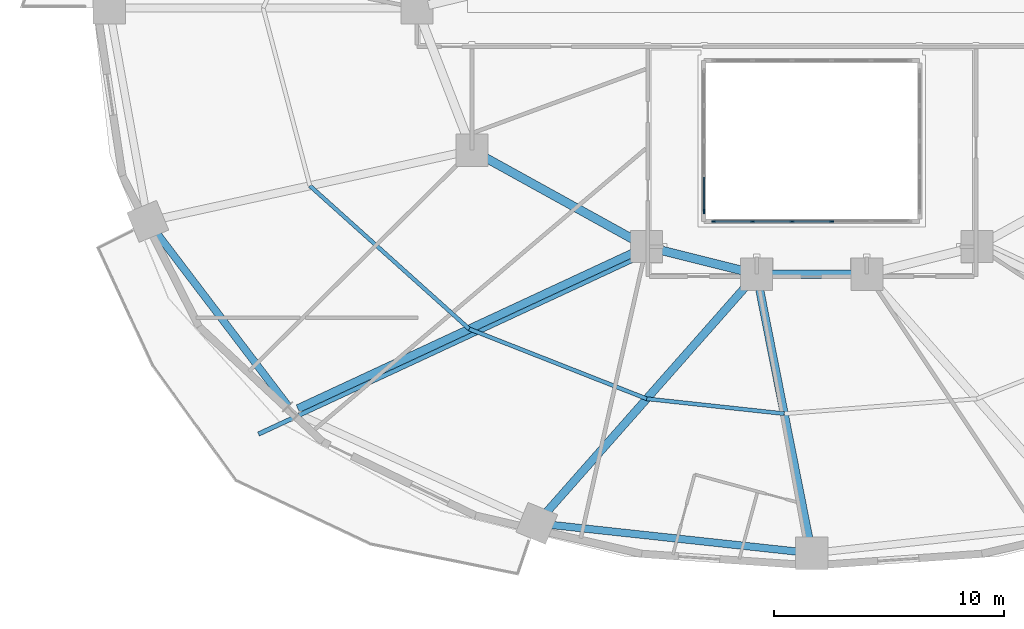
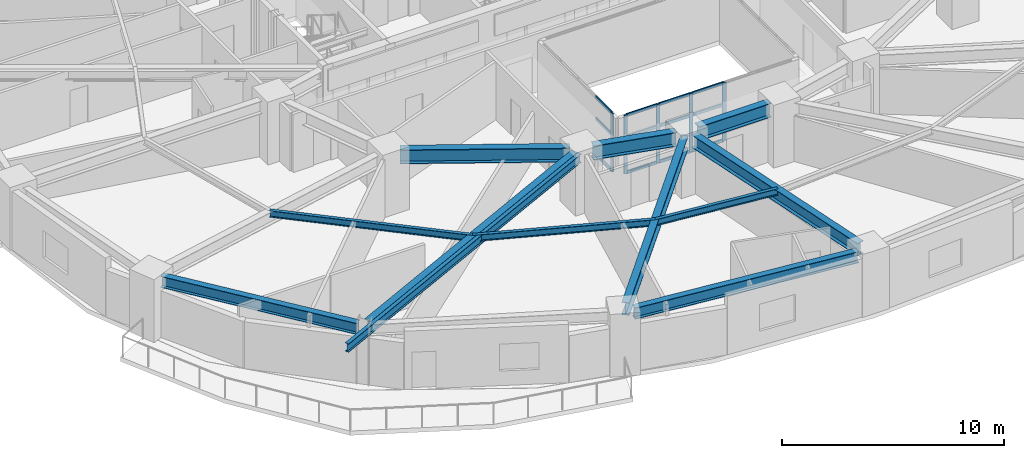
# One storey, part 3 of 17: 17 members, 12 beams, 2 elements without a shape of their own.
"""IFC4 building model written with IfcOpenShell, lengths in metres."""

from ifc_helpers import new_model, si_unit, direction, frame, origin, origin_2d, place, context, subcontext, project, spatial, rectangle, i_section, extrude, material, material_profile, profile_set, type_object, element, aggregate, save


model = new_model("IFC4")

# Units and contexts
model_context = context("Model", 3, precision=1e-05, world=origin(), true_north=direction((0.0, 1.0)))
body_context = subcontext(model_context, "Body", "Model", "MODEL_VIEW")
ifc_project = project(units=[si_unit("LENGTHUNIT", "METRE"), si_unit("AREAUNIT", "SQUARE_METRE"), si_unit("VOLUMEUNIT", "CUBIC_METRE"), si_unit("PLANEANGLEUNIT", "RADIAN"), si_unit("MASSUNIT", "GRAM", prefix="KILO")], contexts=[model_context])

# Site, building, storey
site_placement = place(None, origin())
site = spatial("IfcSite", under=ifc_project, at=site_placement, CompositionType="ELEMENT")
building_placement = place(site_placement, origin())
building = spatial("IfcBuilding", under=site, at=building_placement, Name="Haldorwick Loom Tower", CompositionType="ELEMENT")
storey_placement = place(building_placement, frame((0.0, 0.0, 51.60009765625)))
storey = spatial("IfcBuildingStorey", under=building, at=storey_placement, Name="L13", CompositionType="ELEMENT", Elevation=51.60009765625)

# Curtain wall, members
ifc_material_1 = material(Name="Thermally Broken Anodized Aluminium Curtain Wall Framing", Category="aluminium")
curtain_wall_type = type_object("IfcCurtainWallType", Name="ARC-CW-03", PredefinedType="NOTDEFINED", material=ifc_material_1)
curtain_wall_1_placement = place(storey_placement, origin())
curtain_wall_1 = element("IfcCurtainWall", 1, at=curtain_wall_1_placement, inside=storey, type_object=curtain_wall_type, Name="L13 Atrium Glazed Screen S", PredefinedType="NOTDEFINED")
ifc_material_profile_1 = material_profile(ifc_material_1, rectangle(XDim=0.06591796875, YDim=0.18505859375, at=origin_2d()), Name="ALU_MUL_66X185", Category="aluminium")
ifc_profile_set_1 = profile_set([ifc_material_profile_1], Name="Thermally Broken Anodized Aluminium Curtain Wall Framing")
member_type_1 = type_object("IfcMemberType", Name="ARC-CWM-03", PredefinedType="MULLION", material=ifc_profile_set_1)
member_1_placement = place(storey_placement, frame((36.860107421875, 16.699951171875, 0.0), z_axis=(0.0, 0.0, 1.0), x_axis=(0.0, -1.0, 0.0)))
member_1 = element("IfcMember", 2, at=member_1_placement, type_object=member_type_1, Name="CW-03 mullion 3", PredefinedType="MULLION", context=body_context, shape_type="SweptSolid", body=[
    extrude(rectangle(XDim=0.06591796875, YDim=0.18505859375, at=origin_2d()), origin(), (0.0, 0.0, 1.0), 3.2099609375),
])
member_2_placement = place(storey_placement, frame((35.139892578125, 16.699951171875, 0.0), z_axis=(0.0, 0.0, 1.0), x_axis=(0.0, -1.0, 0.0)))
member_2 = element("IfcMember", 3, at=member_2_placement, type_object=member_type_1, Name="CW-03 mullion 4", PredefinedType="MULLION", context=body_context, shape_type="SweptSolid", body=[
    extrude(rectangle(XDim=0.06591796875, YDim=0.18505859375, at=origin_2d()), origin(), (0.0, 0.0, 1.0), 3.2099609375),
])
member_3_placement = place(storey_placement, frame((33.419921875, 16.699951171875, 0.0), z_axis=(0.0, 0.0, 1.0), x_axis=(0.0, -1.0, 0.0)))
member_3 = element("IfcMember", 4, at=member_3_placement, type_object=member_type_1, Name="CW-03 mullion 5", PredefinedType="MULLION", context=body_context, shape_type="SweptSolid", body=[
    extrude(rectangle(XDim=0.06591796875, YDim=0.18505859375, at=origin_2d()), origin(), (0.0, 0.0, 1.0), 3.2099609375),
])
member_4_placement = place(storey_placement, frame((31.73291015625, 16.699951171875, 0.0), z_axis=(0.0, 0.0, 1.0), x_axis=(0.0, -1.0, 0.0)))
member_4 = element("IfcMember", 5, at=member_4_placement, type_object=member_type_1, Name="CW-03 mullion 6", PredefinedType="MULLION", context=body_context, shape_type="SweptSolid", body=[
    extrude(rectangle(XDim=0.06591796875, YDim=0.18505859375, at=origin_2d()), origin(), (0.0, 0.0, 1.0), 3.2099609375),
])

# Curtain wall, member
curtain_wall_2_placement = place(storey_placement, origin())
curtain_wall_2 = element("IfcCurtainWall", 6, at=curtain_wall_2_placement, inside=storey, type_object=curtain_wall_type, Name="L13 Atrium Glazed Screen W", PredefinedType="NOTDEFINED")
member_5_placement = place(storey_placement, frame((31.300048828125, 17.133056640625, 0.0), z_axis=(0.0, 0.0, 1.0), x_axis=(-1.0, 0.0, 0.0)))
member_5 = element("IfcMember", 7, at=member_5_placement, type_object=member_type_1, Name="CW-03 mullion 1", PredefinedType="MULLION", context=body_context, shape_type="SweptSolid", body=[
    extrude(rectangle(XDim=0.06591796875, YDim=0.18505859375, at=origin_2d()), origin(), (0.0, 0.0, 1.0), 3.2099609375),
])

# Member
ifc_material_profile_2 = material_profile(ifc_material_1, rectangle(XDim=0.06591796875, YDim=0.1650390625, at=origin_2d()), Name="ALU_TRN_66X165", Category="aluminium")
ifc_profile_set_2 = profile_set([ifc_material_profile_2], Name="Thermally Broken Anodized Aluminium Curtain Wall Framing")
member_type_2 = type_object("IfcMemberType", Name="ARC-CWT-03", PredefinedType="USERDEFINED", material=ifc_profile_set_2)
member_6_placement = place(storey_placement, frame((36.826904296875, 16.699951171875, 0.032958984375), z_axis=(-1.0, 0.0, 0.0), x_axis=(0.0, -1.0, 0.0)))
member_6 = element("IfcMember", 8, at=member_6_placement, type_object=member_type_2, Name="CW-03 transom 3.1", ObjectType="TRANSOM", PredefinedType="USERDEFINED", context=body_context, shape_type="SweptSolid", body=[
    extrude(rectangle(XDim=0.06591796875, YDim=0.1650390625, at=origin_2d()), origin(), (0.0, 0.0, 1.0), 1.65380859375),
])

member_7_placement = place(storey_placement, frame((36.826904296875, 16.699951171875, 2.0), z_axis=(-1.0, 0.0, 0.0), x_axis=(0.0, -1.0, 0.0)))
member_7 = element("IfcMember", 9, at=member_7_placement, type_object=member_type_2, Name="CW-03 transom 3.2", ObjectType="TRANSOM", PredefinedType="USERDEFINED", context=body_context, shape_type="SweptSolid", body=[
    extrude(rectangle(XDim=0.06591796875, YDim=0.1650390625, at=origin_2d()), origin(), (0.0, 0.0, 1.0), 1.65380859375),
])

member_8_placement = place(storey_placement, frame((36.826904296875, 16.699951171875, 3.177001953125), z_axis=(-1.0, 0.0, 0.0), x_axis=(0.0, -1.0, 0.0)))
member_8 = element("IfcMember", 10, at=member_8_placement, type_object=member_type_2, Name="CW-03 transom 3.3", ObjectType="TRANSOM", PredefinedType="USERDEFINED", context=body_context, shape_type="SweptSolid", body=[
    extrude(rectangle(XDim=0.06591796875, YDim=0.1650390625, at=origin_2d()), origin(), (0.0, 0.0, 1.0), 1.65380859375),
])

member_9_placement = place(storey_placement, frame((35.10693359375, 16.699951171875, 0.032958984375), z_axis=(-1.0, 0.0, 0.0), x_axis=(0.0, -1.0, 0.0)))
member_9 = element("IfcMember", 11, at=member_9_placement, type_object=member_type_2, Name="CW-03 transom 4.1", ObjectType="TRANSOM", PredefinedType="USERDEFINED", context=body_context, shape_type="SweptSolid", body=[
    extrude(rectangle(XDim=0.06591796875, YDim=0.1650390625, at=origin_2d()), origin(), (0.0, 0.0, 1.0), 1.654052734375),
])

member_10_placement = place(storey_placement, frame((35.10693359375, 16.699951171875, 2.0), z_axis=(-1.0, 0.0, 0.0), x_axis=(0.0, -1.0, 0.0)))
member_10 = element("IfcMember", 12, at=member_10_placement, type_object=member_type_2, Name="CW-03 transom 4.2", ObjectType="TRANSOM", PredefinedType="USERDEFINED", context=body_context, shape_type="SweptSolid", body=[
    extrude(rectangle(XDim=0.06591796875, YDim=0.1650390625, at=origin_2d()), origin(), (0.0, 0.0, 1.0), 1.654052734375),
])

member_11_placement = place(storey_placement, frame((35.10693359375, 16.699951171875, 3.177001953125), z_axis=(-1.0, 0.0, 0.0), x_axis=(0.0, -1.0, 0.0)))
member_11 = element("IfcMember", 13, at=member_11_placement, type_object=member_type_2, Name="CW-03 transom 4.3", ObjectType="TRANSOM", PredefinedType="USERDEFINED", context=body_context, shape_type="SweptSolid", body=[
    extrude(rectangle(XDim=0.06591796875, YDim=0.1650390625, at=origin_2d()), origin(), (0.0, 0.0, 1.0), 1.654052734375),
])

member_12_placement = place(storey_placement, frame((33.386962890625, 16.699951171875, 0.032958984375), z_axis=(-1.0, 0.0, 0.0), x_axis=(0.0, -1.0, 0.0)))
member_12 = element("IfcMember", 14, at=member_12_placement, type_object=member_type_2, Name="CW-03 transom 5.1", ObjectType="TRANSOM", PredefinedType="USERDEFINED", context=body_context, shape_type="SweptSolid", body=[
    extrude(rectangle(XDim=0.06591796875, YDim=0.1650390625, at=origin_2d()), origin(), (0.0, 0.0, 1.0), 1.620849609375),
])

member_13_placement = place(storey_placement, frame((33.386962890625, 16.699951171875, 2.0), z_axis=(-1.0, 0.0, 0.0), x_axis=(0.0, -1.0, 0.0)))
member_13 = element("IfcMember", 15, at=member_13_placement, type_object=member_type_2, Name="CW-03 transom 5.2", ObjectType="TRANSOM", PredefinedType="USERDEFINED", context=body_context, shape_type="SweptSolid", body=[
    extrude(rectangle(XDim=0.06591796875, YDim=0.1650390625, at=origin_2d()), origin(), (0.0, 0.0, 1.0), 1.620849609375),
])

member_14_placement = place(storey_placement, frame((33.386962890625, 16.699951171875, 3.177001953125), z_axis=(-1.0, 0.0, 0.0), x_axis=(0.0, -1.0, 0.0)))
member_14 = element("IfcMember", 16, at=member_14_placement, type_object=member_type_2, Name="CW-03 transom 5.3", ObjectType="TRANSOM", PredefinedType="USERDEFINED", context=body_context, shape_type="SweptSolid", body=[
    extrude(rectangle(XDim=0.06591796875, YDim=0.1650390625, at=origin_2d()), origin(), (0.0, 0.0, 1.0), 1.620849609375),
])

aggregate(curtain_wall_1, [member_1, member_2, member_3, member_4, member_6, member_7, member_8, member_9, member_10, member_11, member_12, member_13, member_14])

member_15_placement = place(storey_placement, frame((31.300048828125, 17.166015625, 0.032958984375), z_axis=(0.0, 1.0, 0.0), x_axis=(-1.0, 0.0, 0.0)))
member_15 = element("IfcMember", 17, at=member_15_placement, type_object=member_type_2, Name="CW-03 transom 1.1", ObjectType="TRANSOM", PredefinedType="USERDEFINED", context=body_context, shape_type="SweptSolid", body=[
    extrude(rectangle(XDim=0.06591796875, YDim=0.1650390625, at=origin_2d()), origin(), (0.0, 0.0, 1.0), 1.450927734375),
])

member_16_placement = place(storey_placement, frame((31.300048828125, 17.166015625, 2.0), z_axis=(0.0, 1.0, 0.0), x_axis=(-1.0, 0.0, 0.0)))
member_16 = element("IfcMember", 18, at=member_16_placement, type_object=member_type_2, Name="CW-03 transom 1.2", ObjectType="TRANSOM", PredefinedType="USERDEFINED", context=body_context, shape_type="SweptSolid", body=[
    extrude(rectangle(XDim=0.06591796875, YDim=0.1650390625, at=origin_2d()), origin(), (0.0, 0.0, 1.0), 1.450927734375),
])

member_17_placement = place(storey_placement, frame((31.300048828125, 17.166015625, 3.177001953125), z_axis=(0.0, 1.0, 0.0), x_axis=(-1.0, 0.0, 0.0)))
member_17 = element("IfcMember", 19, at=member_17_placement, type_object=member_type_2, Name="CW-03 transom 1.3", ObjectType="TRANSOM", PredefinedType="USERDEFINED", context=body_context, shape_type="SweptSolid", body=[
    extrude(rectangle(XDim=0.06591796875, YDim=0.1650390625, at=origin_2d()), origin(), (0.0, 0.0, 1.0), 1.450927734375),
])

aggregate(curtain_wall_2, [member_5, member_15, member_16, member_17])

# Beams
ifc_material_2 = material(Name="Steel CSA G40.21 350W", Category="steel")
ifc_material_profile_3 = material_profile(ifc_material_2, i_section(OverallWidth=0.193115234375, OverallDepth=0.466064453125, WebThickness=0.011474609375, FlangeThickness=0.01904296875, at=origin_2d()), Name="W460X97", Category="steel")
ifc_profile_set_3 = profile_set([ifc_material_profile_3], Name="Steel CSA G40.21 350W")
beam_type_1 = type_object("IfcBeamType", Name="STR-BM-BAL460", PredefinedType="BEAM", material=ifc_profile_set_3)
beam_1_placement = place(storey_placement, frame((28.446533203125, 15.126953125, 2.976806640625), z_axis=(-0.906840784049, -0.421473359047, 0.0), x_axis=(0.421473359047, -0.906840784049, 0.0)))
element("IfcBeam", 20, at=beam_1_placement, inside=storey, type_object=beam_type_1, Name="L13 Continuous Back-Spanned Balcony Beam 2", PredefinedType="BEAM", context=body_context, shape_type="SweptSolid", body=[
    extrude(i_section(OverallWidth=0.193115234375, OverallDepth=0.466064453125, WebThickness=0.011474609375, FlangeThickness=0.01904296875, at=origin_2d()), origin(), (0.0, 0.0, 1.0), 18.245361328125),
])
ifc_material_profile_4 = material_profile(ifc_material_2, i_section(OverallWidth=0.172119140625, OverallDepth=0.35791015625, WebThickness=0.0078125, FlangeThickness=0.01318359375, at=origin_2d()), Name="W360X57", Category="steel")
ifc_profile_set_4 = profile_set([ifc_material_profile_4], Name="Steel CSA G40.21 350W")
beam_type_2 = type_object("IfcBeamType", Name="STR-BM-J360", PredefinedType="JOIST", material=ifc_profile_set_4)
beam_2_placement = place(storey_placement, frame((14.141357421875, 18.25048828125, 3.031005859375), z_axis=(0.743981830112, -0.668199847698, 0.0), x_axis=(0.668199847698, 0.743981830112, 0.0)))
element("IfcBeam", 21, at=beam_2_placement, inside=storey, type_object=beam_type_2, Name="L13 Mid-Bay Secondary Joist 10", PredefinedType="JOIST", context=body_context, shape_type="SweptSolid", body=[
    extrude(i_section(OverallWidth=0.172119140625, OverallDepth=0.35791015625, WebThickness=0.0078125, FlangeThickness=0.01318359375, at=origin_2d()), origin(), (0.0, 0.0, 1.0), 9.3330078125),
])
beam_3_placement = place(storey_placement, frame((21.0849609375, 12.01416015625, 3.031005859375), z_axis=(0.930584838237, -0.366076301941, 0.0), x_axis=(0.366076301941, 0.930584838237, 0.0)))
element("IfcBeam", 22, at=beam_3_placement, inside=storey, type_object=beam_type_2, Name="L13 Mid-Bay Secondary Joist 11", PredefinedType="JOIST", context=body_context, shape_type="SweptSolid", body=[
    extrude(i_section(OverallWidth=0.172119140625, OverallDepth=0.35791015625, WebThickness=0.0078125, FlangeThickness=0.01318359375, at=origin_2d()), origin(), (0.0, 0.0, 1.0), 8.302490234375),
])
beam_4_placement = place(storey_placement, frame((28.81103515625, 8.974853515625, 3.031005859375), z_axis=(0.994163660215, -0.107882420753, 0.0), x_axis=(0.107882420753, 0.994163660215, 0.0)))
element("IfcBeam", 23, at=beam_4_placement, inside=storey, type_object=beam_type_2, Name="L13 Mid-Bay Secondary Joist 12", PredefinedType="JOIST", context=body_context, shape_type="SweptSolid", body=[
    extrude(i_section(OverallWidth=0.172119140625, OverallDepth=0.35791015625, WebThickness=0.0078125, FlangeThickness=0.01318359375, at=origin_2d()), origin(), (0.0, 0.0, 1.0), 6.024169921875),
])
ifc_material_profile_5 = material_profile(ifc_material_2, i_section(OverallWidth=0.324951171875, OverallDepth=0.615966796875, WebThickness=0.013916015625, FlangeThickness=0.021484375, at=origin_2d()), Name="W610X174", Category="steel")
ifc_profile_set_5 = profile_set([ifc_material_profile_5], Name="Steel CSA G40.21 350W")
beam_type_3 = type_object("IfcBeamType", Name="STR-BM-SP610", PredefinedType="SPANDREL", material=ifc_profile_set_5)
beam_5_placement = place(storey_placement, frame((7.397216796875, 16.286865234375, 2.90185546875), z_axis=(0.605084557744, -0.796161213562, 0.0), x_axis=(0.796161213562, 0.605084557744, 0.0)))
element("IfcBeam", 24, at=beam_5_placement, inside=storey, type_object=beam_type_3, Name="L13 Perimeter Spandrel 10", PredefinedType="SPANDREL", context=body_context, shape_type="SweptSolid", body=[
    extrude(i_section(OverallWidth=0.324951171875, OverallDepth=0.615966796875, WebThickness=0.013916015625, FlangeThickness=0.021484375, at=origin_2d()), origin(), (0.0, 0.0, 1.0), 9.595703125),
])
beam_6_placement = place(storey_placement, frame((24.5390625, 3.49365234375, 2.90185546875), z_axis=(0.994164438636, -0.107875247167, 0.0), x_axis=(0.107875247167, 0.994164438636, 0.0)))
element("IfcBeam", 25, at=beam_6_placement, inside=storey, type_object=beam_type_3, Name="L13 Perimeter Spandrel 12", PredefinedType="SPANDREL", context=body_context, shape_type="SweptSolid", body=[
    extrude(i_section(OverallWidth=0.324951171875, OverallDepth=0.615966796875, WebThickness=0.013916015625, FlangeThickness=0.021484375, at=origin_2d()), origin(), (0.0, 0.0, 1.0), 11.008056640625),
])
ifc_material_profile_6 = material_profile(ifc_material_2, i_section(OverallWidth=0.35498046875, OverallDepth=0.695068359375, WebThickness=0.015380859375, FlangeThickness=0.02490234375, at=origin_2d()), Name="W690X217", Category="steel")
ifc_profile_set_6 = profile_set([ifc_material_profile_6], Name="Steel CSA G40.21 350W")
beam_type_4 = type_object("IfcBeamType", Name="STR-BM-W690", PredefinedType="BEAM", material=ifc_profile_set_6)
beam_7_placement = place(storey_placement, frame((28.328369140625, 15.380859375, 2.8623046875), z_axis=(-0.90683498532, -0.421485835349, 0.0), x_axis=(0.421485835349, -0.90683498532, 0.0)))
element("IfcBeam", 26, at=beam_7_placement, inside=storey, type_object=beam_type_4, Name="L13 Radial Floor Girder 11", PredefinedType="BEAM", context=body_context, shape_type="SweptSolid", body=[
    extrude(i_section(OverallWidth=0.35498046875, OverallDepth=0.695068359375, WebThickness=0.015380859375, FlangeThickness=0.02490234375, at=origin_2d()), origin(), (0.0, 0.0, 1.0), 16.220458984375),
])
beam_8_placement = place(storey_placement, frame((33.255859375, 14.01025390625, 2.8623046875), z_axis=(-0.661774304332, -0.749703121326, 0.0), x_axis=(0.749703121326, -0.661774304332, 0.0)))
element("IfcBeam", 27, at=beam_8_placement, inside=storey, type_object=beam_type_4, Name="L13 Radial Floor Girder 12", PredefinedType="BEAM", context=body_context, shape_type="SweptSolid", body=[
    extrude(i_section(OverallWidth=0.35498046875, OverallDepth=0.695068359375, WebThickness=0.015380859375, FlangeThickness=0.02490234375, at=origin_2d()), origin(), (0.0, 0.0, 1.0), 13.43310546875),
])
beam_9_placement = place(storey_placement, frame((33.70068359375, 13.889892578125, 2.8623046875), z_axis=(0.193785651115, -0.981043893729, 0.0), x_axis=(0.981043893729, 0.193785651115, 0.0)))
element("IfcBeam", 28, at=beam_9_placement, inside=storey, type_object=beam_type_4, Name="L13 Radial Floor Girder 13", PredefinedType="BEAM", context=body_context, shape_type="SweptSolid", body=[
    extrude(i_section(OverallWidth=0.35498046875, OverallDepth=0.695068359375, WebThickness=0.015380859375, FlangeThickness=0.02490234375, at=origin_2d()), origin(), (0.0, 0.0, 1.0), 11.344970703125),
])
ifc_material_profile_7 = material_profile(ifc_material_2, i_section(OverallWidth=0.381103515625, OverallDepth=0.77294921875, WebThickness=0.0166015625, FlangeThickness=0.027587890625, at=origin_2d()), Name="W760X257", Category="steel")
ifc_profile_set_7 = profile_set([ifc_material_profile_7], Name="Steel CSA G40.21 350W")
beam_type_5 = type_object("IfcBeamType", Name="STR-BM-W760", PredefinedType="BEAM", material=ifc_profile_set_7)
beam_10_placement = place(storey_placement, frame((37.8798828125, 14.39990234375, 2.823486328125), z_axis=(-1.0, 0.0, 0.0), x_axis=(0.0, -1.0, 0.0)))
element("IfcBeam", 29, at=beam_10_placement, inside=storey, type_object=beam_type_5, Name="L13 Inner Ring Girder 5", PredefinedType="BEAM", context=body_context, shape_type="SweptSolid", body=[
    extrude(i_section(OverallWidth=0.381103515625, OverallDepth=0.77294921875, WebThickness=0.0166015625, FlangeThickness=0.027587890625, at=origin_2d()), origin(), (0.0, 0.0, 1.0), 3.759765625),
])
beam_11_placement = place(storey_placement, frame((33.095458984375, 14.526123046875, 2.823486328125), z_axis=(-0.970142500145, 0.242535625036, 0.0), x_axis=(-0.242535625036, -0.970142500145, 0.0)))
element("IfcBeam", 30, at=beam_11_placement, inside=storey, type_object=beam_type_5, Name="L13 Inner Ring Girder 6", PredefinedType="BEAM", context=body_context, shape_type="SweptSolid", body=[
    extrude(i_section(OverallWidth=0.381103515625, OverallDepth=0.77294921875, WebThickness=0.0166015625, FlangeThickness=0.027587890625, at=origin_2d()), origin(), (0.0, 0.0, 1.0), 3.90771484375),
])
beam_12_placement = place(storey_placement, frame((28.344970703125, 15.8515625, 2.823486328125), z_axis=(-0.875244382146, 0.483680960471, 0.0), x_axis=(-0.483680960471, -0.875244382146, 0.0)))
element("IfcBeam", 31, at=beam_12_placement, inside=storey, type_object=beam_type_5, Name="L13 Inner Ring Girder 7", PredefinedType="BEAM", context=body_context, shape_type="SweptSolid", body=[
    extrude(i_section(OverallWidth=0.381103515625, OverallDepth=0.77294921875, WebThickness=0.0166015625, FlangeThickness=0.027587890625, at=origin_2d()), origin(), (0.0, 0.0, 1.0), 7.6435546875),
])

save(model, "model.ifc")
